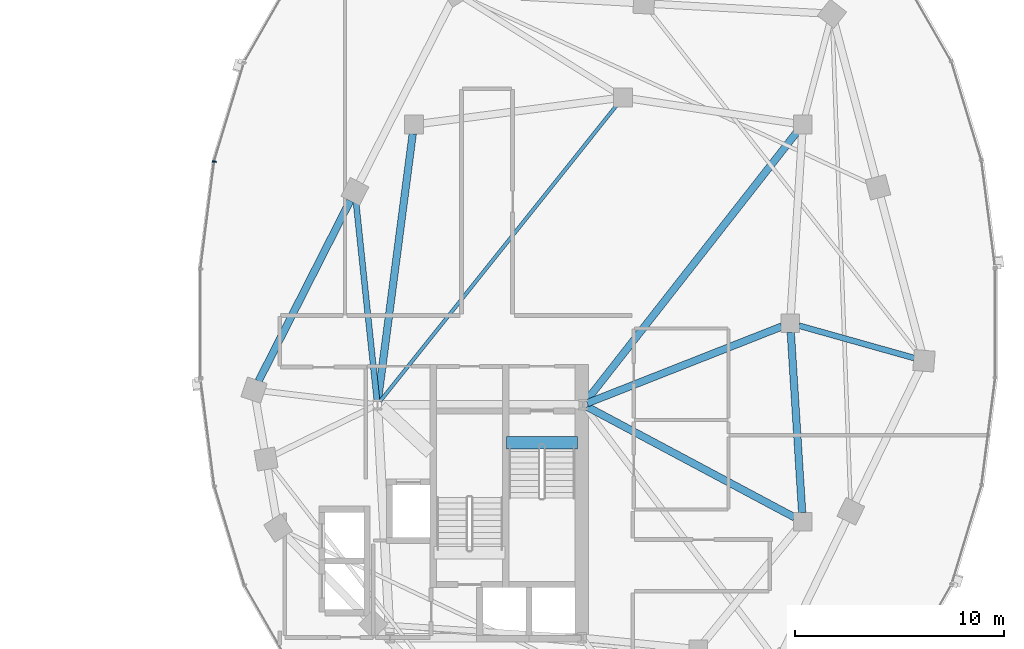
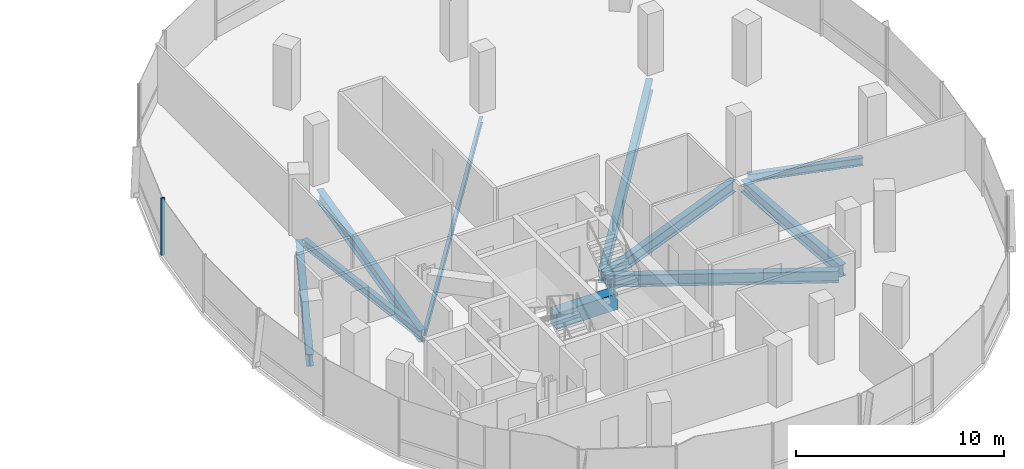
# One storey, part 7 of 22: 10 beams, 1 member, 1 element without a shape of its own.
"""IFC4 building model written with IfcOpenShell, lengths in metres."""

from ifc_helpers import new_model, si_unit, direction, frame, origin, origin_2d, place, context, subcontext, project, spatial, rectangle, i_section, extrude, material, material_profile, profile_set, type_object, element, aggregate, save


model = new_model("IFC4")

# Units and contexts
model_context = context("Model", 3, precision=1e-05, world=origin(), true_north=direction((0.0, 1.0)))
body_context = subcontext(model_context, "Body", "Model", "MODEL_VIEW")
ifc_project = project(units=[si_unit("LENGTHUNIT", "METRE"), si_unit("AREAUNIT", "SQUARE_METRE"), si_unit("VOLUMEUNIT", "CUBIC_METRE"), si_unit("PLANEANGLEUNIT", "RADIAN"), si_unit("MASSUNIT", "GRAM", prefix="KILO"), si_unit("THERMODYNAMICTEMPERATUREUNIT", "KELVIN"), si_unit("POWERUNIT", "WATT")], contexts=[model_context])

# Site, building, storey
site_placement = place(None, origin())
site = spatial("IfcSite", under=ifc_project, at=site_placement, CompositionType="ELEMENT")
building_placement = place(site_placement, origin())
building = spatial("IfcBuilding", under=site, at=building_placement, Name="Cundina Bronze Exchange", CompositionType="ELEMENT")
storey_placement = place(building_placement, frame((0.0, 0.0, 140.39990234375)))
storey = spatial("IfcBuildingStorey", under=building, at=storey_placement, Name="L36", CompositionType="ELEMENT", Elevation=140.39990234375)

# Beams
ifc_material_1 = material(Name="Concrete C60/75", Category="concrete")
ifc_material_profile_1 = material_profile(ifc_material_1, rectangle(XDim=0.60009765625, YDim=0.949951171875, at=origin_2d()), Name="RC600X950", Category="concrete")
ifc_profile_set_1 = profile_set([ifc_material_profile_1], Name="Concrete C60/75")
beam_type_1 = type_object("IfcBeamType", Name="BM-COUP-RC950", PredefinedType="LINTEL", material=ifc_profile_set_1)
beam_1_placement = place(storey_placement, frame((27.6201171875, -5.719970703125, -0.474853515625), z_axis=(1.0, 0.0, 0.0), x_axis=(0.0, 1.0, 0.0)))
element("IfcBeam", 1, at=beam_1_placement, inside=storey, type_object=beam_type_1, Name="L36 Stair E1 Landing Header Beam", PredefinedType="LINTEL", context=body_context, shape_type="SweptSolid", body=[
    extrude(rectangle(XDim=0.60009765625, YDim=0.949951171875, at=origin_2d()), origin(), (0.0, 0.0, 1.0), 3.39990234375),
])
ifc_material_2 = material(Name="Steel ASTM A992 Grade 50", Category="steel")
ifc_material_profile_2 = material_profile(ifc_material_2, i_section(OverallWidth=0.280029296875, OverallDepth=0.462890625, WebThickness=0.0107421875, FlangeThickness=0.017333984375, FilletRadius=0.011962890625, at=origin_2d()), Name="W18X76", Category="steel")
ifc_profile_set_2 = profile_set([ifc_material_profile_2], Name="Steel ASTM A992 Grade 50")
beam_type_2 = type_object("IfcBeamType", Name="BM-FLR-W18A", PredefinedType="BEAM", material=ifc_profile_set_2)
beam_2_placement = place(storey_placement, frame((41.62158203125, -0.11865234375, -0.471435546875), z_axis=(0.962649202648, -0.270751754643, 0.0), x_axis=(0.270751754643, 0.962649202648, 0.0)))
element("IfcBeam", 2, at=beam_2_placement, inside=storey, type_object=beam_type_2, Name="L36 Leg E Chordal Floor Beam 08", PredefinedType="BEAM", context=body_context, shape_type="SweptSolid", body=[
    extrude(i_section(OverallWidth=0.280029296875, OverallDepth=0.462890625, WebThickness=0.0107421875, FlangeThickness=0.017333984375, FilletRadius=0.011962890625, at=origin_2d()), origin(), (0.0, 0.0, 1.0), 5.72216796875),
])
beam_3_placement = place(storey_placement, frame((21.4287109375, -3.697021484375, -0.471435546875), z_axis=(-0.104834931651, 0.9944896365, 0.0), x_axis=(-0.9944896365, -0.104834931651, 0.0)))
element("IfcBeam", 3, at=beam_3_placement, inside=storey, type_object=beam_type_2, Name="L36 Leg E Chordal Floor Beam 13", PredefinedType="BEAM", context=body_context, shape_type="SweptSolid", body=[
    extrude(i_section(OverallWidth=0.280029296875, OverallDepth=0.462890625, WebThickness=0.0107421875, FlangeThickness=0.017333984375, FilletRadius=0.011962890625, at=origin_2d()), origin(), (0.0, 0.0, 1.0), 9.564453125),
])
ifc_material_profile_3 = material_profile(ifc_material_2, i_section(OverallWidth=0.172119140625, OverallDepth=0.35791015625, WebThickness=0.0078125, FlangeThickness=0.01318359375, FilletRadius=0.010009765625, at=origin_2d()), Name="W14X38", Category="steel")
ifc_profile_set_3 = profile_set([ifc_material_profile_3], Name="Steel ASTM A992 Grade 50")
beam_type_3 = type_object("IfcBeamType", Name="BM-JST-W14", PredefinedType="JOIST", material=ifc_profile_set_3)
beam_4_placement = place(storey_placement, frame((21.577392578125, -3.740478515625, -0.4189453125), z_axis=(0.624370675223, 0.781128196854, 0.0), x_axis=(-0.781128196854, 0.624370675223, 0.0)))
element("IfcBeam", 4, at=beam_4_placement, inside=storey, type_object=beam_type_3, Name="L36 E Interior Core-to-Ring Joist 2", PredefinedType="JOIST", context=body_context, shape_type="SweptSolid", body=[
    extrude(i_section(OverallWidth=0.172119140625, OverallDepth=0.35791015625, WebThickness=0.0078125, FlangeThickness=0.01318359375, FilletRadius=0.010009765625, at=origin_2d()), origin(), (0.0, 0.0, 1.0), 18.177001953125),
])
ifc_material_profile_4 = material_profile(ifc_material_2, i_section(OverallWidth=0.35498046875, OverallDepth=0.695068359375, WebThickness=0.015380859375, FlangeThickness=0.02490234375, FilletRadius=0.01806640625, at=origin_2d()), Name="W27X146", Category="steel")
ifc_profile_set_4 = profile_set([ifc_material_profile_4], Name="Steel ASTM A992 Grade 50")
beam_type_4 = type_object("IfcBeamType", Name="BM-RING-W27", PredefinedType="USERDEFINED", material=ifc_profile_set_4)
beam_5_placement = place(storey_placement, frame((41.7724609375, -9.06298828125, -0.58740234375), z_axis=(-0.063046519736, 0.998010589297, 0.0), x_axis=(-0.998010589297, -0.063046519736, 0.0)))
element("IfcBeam", 5, at=beam_5_placement, inside=storey, type_object=beam_type_4, Name="L36 E Inner Structural Ring Girder 03", ObjectType="GIRDER", PredefinedType="USERDEFINED", context=body_context, shape_type="SweptSolid", body=[
    extrude(i_section(OverallWidth=0.35498046875, OverallDepth=0.695068359375, WebThickness=0.015380859375, FlangeThickness=0.02490234375, FilletRadius=0.01806640625, at=origin_2d()), origin(), (0.0, 0.0, 1.0), 8.64306640625),
])
beam_6_placement = place(storey_placement, frame((23.143310546875, 9.065673828125, -0.58740234375), z_axis=(-0.129507030047, -0.991578503785, 0.0), x_axis=(0.991578503785, -0.129507030047, 0.0)))
element("IfcBeam", 6, at=beam_6_placement, inside=storey, type_object=beam_type_4, Name="L36 E Inner Structural Ring Girder 07", ObjectType="GIRDER", PredefinedType="USERDEFINED", context=body_context, shape_type="SweptSolid", body=[
    extrude(i_section(OverallWidth=0.35498046875, OverallDepth=0.695068359375, WebThickness=0.015380859375, FlangeThickness=0.02490234375, FilletRadius=0.01806640625, at=origin_2d()), origin(), (0.0, 0.0, 1.0), 12.871826171875),
])
beam_7_placement = place(storey_placement, frame((31.48974609375, -3.8251953125, -0.58740234375), z_axis=(0.930405617189, 0.36653156413, 0.0), x_axis=(-0.36653156413, 0.930405617189, 0.0)))
element("IfcBeam", 7, at=beam_7_placement, inside=storey, type_object=beam_type_4, Name="L36 E Core-to-Waist Tie Beam 1", ObjectType="GIRDER", PredefinedType="USERDEFINED", context=body_context, shape_type="SweptSolid", body=[
    extrude(i_section(OverallWidth=0.35498046875, OverallDepth=0.695068359375, WebThickness=0.015380859375, FlangeThickness=0.02490234375, FilletRadius=0.01806640625, at=origin_2d()), origin(), (0.0, 0.0, 1.0), 9.99853515625),
])
beam_8_placement = place(storey_placement, frame((31.47998046875, -3.99609375, -0.58740234375), z_axis=(0.88235534237, -0.470583733028, 0.0), x_axis=(0.470583733028, 0.88235534237, 0.0)))
element("IfcBeam", 8, at=beam_8_placement, inside=storey, type_object=beam_type_4, Name="L36 E Core-to-Waist Tie Beam 2", ObjectType="GIRDER", PredefinedType="USERDEFINED", context=body_context, shape_type="SweptSolid", body=[
    extrude(i_section(OverallWidth=0.35498046875, OverallDepth=0.695068359375, WebThickness=0.015380859375, FlangeThickness=0.02490234375, FilletRadius=0.01806640625, at=origin_2d()), origin(), (0.0, 0.0, 1.0), 11.258056640625),
])
beam_9_placement = place(storey_placement, frame((31.42578125, -3.739501953125, -0.58740234375), z_axis=(0.616779109924, 0.787136283982, 0.0), x_axis=(-0.787136283982, 0.616779109924, 0.0)))
element("IfcBeam", 9, at=beam_9_placement, inside=storey, type_object=beam_type_4, Name="L36 E Core-to-Waist Tie Beam 3", ObjectType="GIRDER", PredefinedType="USERDEFINED", context=body_context, shape_type="SweptSolid", body=[
    extrude(i_section(OverallWidth=0.35498046875, OverallDepth=0.695068359375, WebThickness=0.015380859375, FlangeThickness=0.02490234375, FilletRadius=0.01806640625, at=origin_2d()), origin(), (0.0, 0.0, 1.0), 16.3818359375),
])
beam_10_placement = place(storey_placement, frame((20.154052734375, 5.864990234375, -0.58740234375), z_axis=(-0.452834585354, -0.891594548159, 0.0), x_axis=(0.891594548159, -0.452834585354, 0.0)))
element("IfcBeam", 10, at=beam_10_placement, inside=storey, type_object=beam_type_4, Name="L36 E Perimeter Ring Girder 13", ObjectType="GIRDER", PredefinedType="USERDEFINED", context=body_context, shape_type="SweptSolid", body=[
    extrude(i_section(OverallWidth=0.35498046875, OverallDepth=0.695068359375, WebThickness=0.015380859375, FlangeThickness=0.02490234375, FilletRadius=0.01806640625, at=origin_2d()), origin(), (0.0, 0.0, 1.0), 9.67919921875),
])

# Curtain wall, member
ifc_material_3 = material(Name="Anodised Bronze Aluminium 6063-T6", Category="aluminium")
curtain_wall_type = type_object("IfcCurtainWallType", Name="CWS-WST-PIN", PredefinedType="NOTDEFINED", material=ifc_material_3)
curtain_wall_placement = place(storey_placement, origin())
curtain_wall = element("IfcCurtainWall", 11, at=curtain_wall_placement, inside=storey, type_object=curtain_wall_type, Name="L36 CW-04 Curtain Wall Run CWR-L36-E2", PredefinedType="NOTDEFINED")
ifc_material_profile_5 = material_profile(ifc_material_3, rectangle(XDim=0.070068359375, YDim=0.18994140625, at=origin_2d()), Name="AL70X190", Category="aluminium")
ifc_profile_set_5 = profile_set([ifc_material_profile_5], Name="Anodised Bronze Aluminium 6063-T6")
member_type = type_object("IfcMemberType", Name="CWM-MUL-190", PredefinedType="MULLION", material=ifc_profile_set_5)
member_placement = place(storey_placement, frame((13.642822265625, 7.731689453125, 0.0), z_axis=(0.0, 0.0, 1.0), x_axis=(-0.126545236492, -0.991960837494, 0.0)))
member = element("IfcMember", 12, at=member_placement, type_object=member_type, Name="CW-04 Mullion 6", PredefinedType="MULLION", context=body_context, shape_type="SweptSolid", body=[
    extrude(rectangle(XDim=0.070068359375, YDim=0.18994140625, at=origin_2d()), origin(), (0.0, 0.0, 1.0), 3.360107421875),
])
aggregate(curtain_wall, [member])

save(model, "model.ifc")
